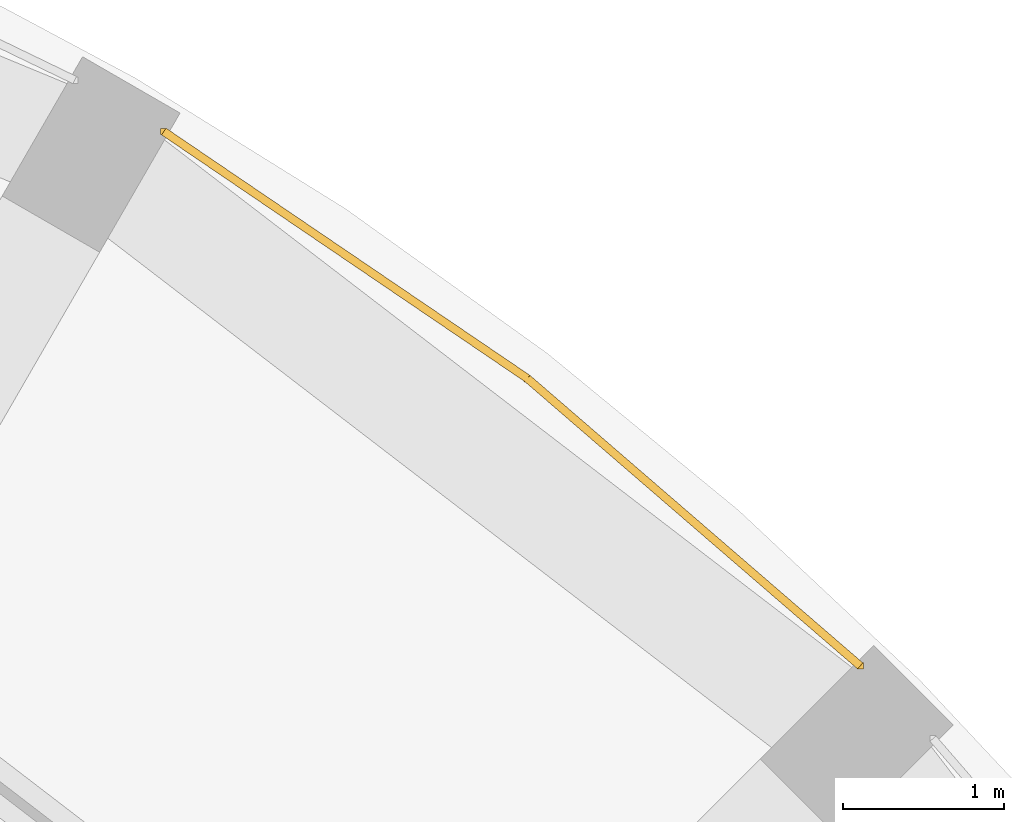
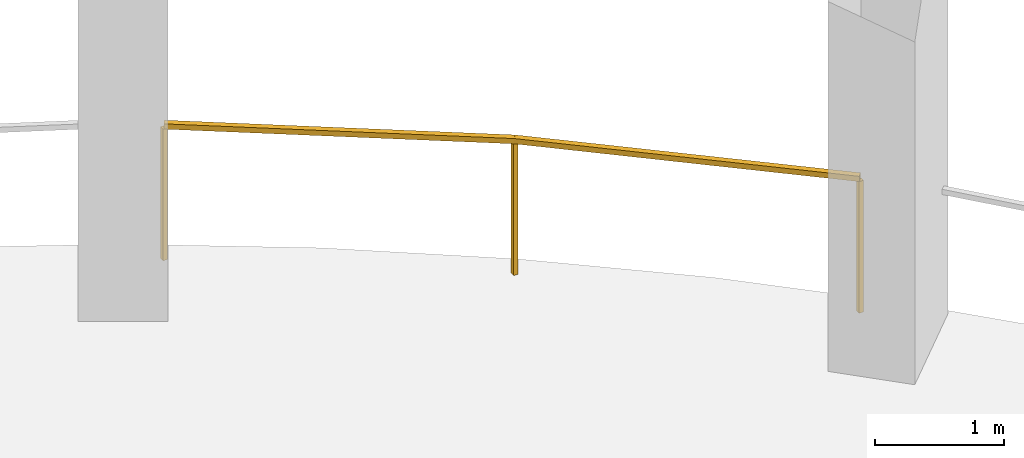
# One storey, part 9 of 9: 1 railing.
"""IFC4 building model written with IfcOpenShell, lengths in metres."""

from ifc_helpers import new_model, si_unit, direction, frame, origin, origin_2d, place, context, subcontext, project, spatial, rectangle, extrude, material, type_object, element, save


model = new_model("IFC4")

# Units and contexts
model_context = context("Model", 3, precision=1e-05, world=origin(), true_north=direction((0.0, 1.0)))
body_context = subcontext(model_context, "Body", "Model", "MODEL_VIEW")
ifc_project = project(units=[si_unit("LENGTHUNIT", "METRE"), si_unit("AREAUNIT", "SQUARE_METRE"), si_unit("VOLUMEUNIT", "CUBIC_METRE"), si_unit("PLANEANGLEUNIT", "RADIAN"), si_unit("MASSUNIT", "GRAM", prefix="KILO")], contexts=[model_context])

# Site, building, storey
site_placement = place(None, origin())
site = spatial("IfcSite", under=ifc_project, at=site_placement, CompositionType="ELEMENT")
building_placement = place(site_placement, origin())
building = spatial("IfcBuilding", under=site, at=building_placement, Name="Torre Triforio", CompositionType="ELEMENT")
storey_placement = place(building_placement, frame((0.0, 0.0, 215.0)))
storey = spatial("IfcBuildingStorey", under=building, at=storey_placement, Name="L49", CompositionType="ELEMENT", Elevation=215.0)

# Railing
ifc_material = material(Name="Stainless steel AISI 316", Category="steel")
railing_type = type_object("IfcRailingType", Name="Loggia guard 1300", PredefinedType="GUARDRAIL", material=ifc_material)
railing_placement = place(storey_placement, frame((16.28466796875, 16.7373046875, 0.0)))
element("IfcRailing", 1, at=railing_placement, inside=storey, type_object=railing_type, Name="Loggia guard L49 bay 04", PredefinedType="GUARDRAIL", context=body_context, shape_type="SweptSolid", body=[
    extrude(rectangle(XDim=0.050048828125, YDim=0.050048828125, at=origin_2d()), frame((0.0, 0.0, 1.27490234375), z_axis=(-0.756857127214, 0.653580361536, 0.0), x_axis=(-0.653580361536, -0.756857127214, 0.0)), (0.0, 0.0, 1.0), 2.735107421875),
    extrude(rectangle(XDim=0.050048828125, YDim=0.050048828125, at=origin_2d()), frame((-2.070068359375, 1.78759765625, 1.27490234375), z_axis=(-0.827198686069, 0.561909542334, 0.0), x_axis=(-0.561909542334, -0.827198686069, 0.0)), (0.0, 0.0, 1.0), 2.735107421875),
    extrude(rectangle(XDim=0.0400390625, YDim=0.0400390625, at=origin_2d()), origin(), (0.0, 0.0, 1.0), 1.25),
    extrude(rectangle(XDim=0.0400390625, YDim=0.0400390625, at=origin_2d()), frame((-2.070068359375, 1.78759765625, 0.0)), (0.0, 0.0, 1.0), 1.25),
    extrude(rectangle(XDim=0.0400390625, YDim=0.0400390625, at=origin_2d()), frame((-4.33251953125, 3.324462890625, 0.0)), (0.0, 0.0, 1.0), 1.25),
])

save(model, "model.ifc")
